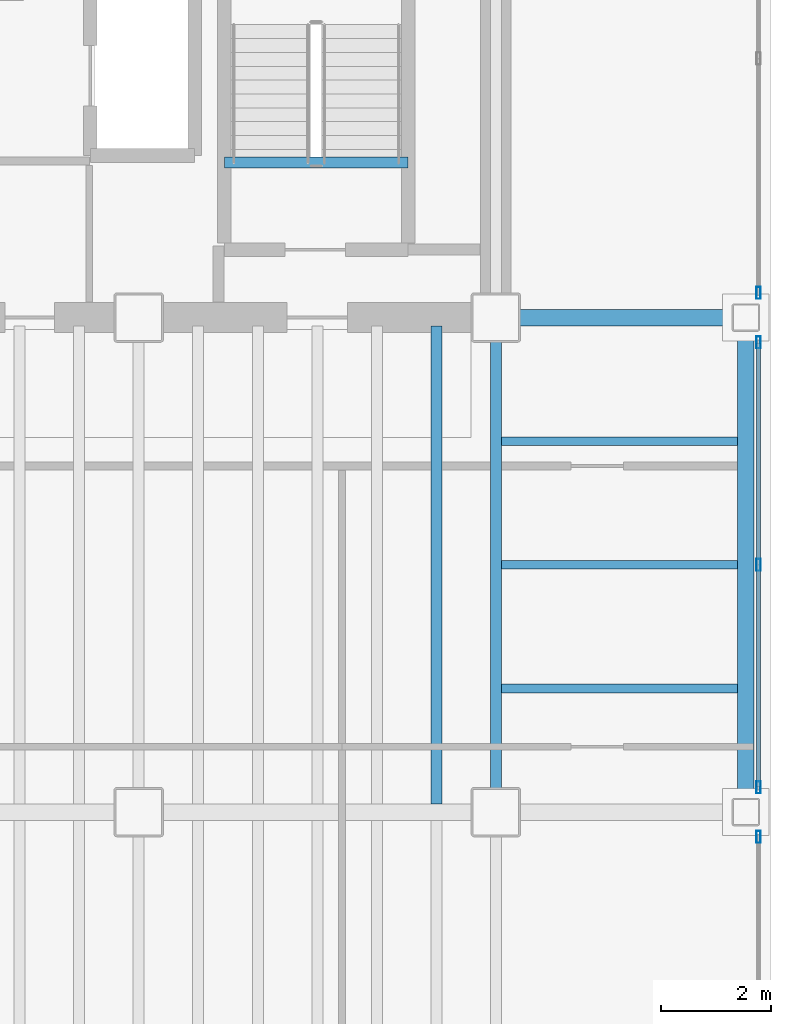
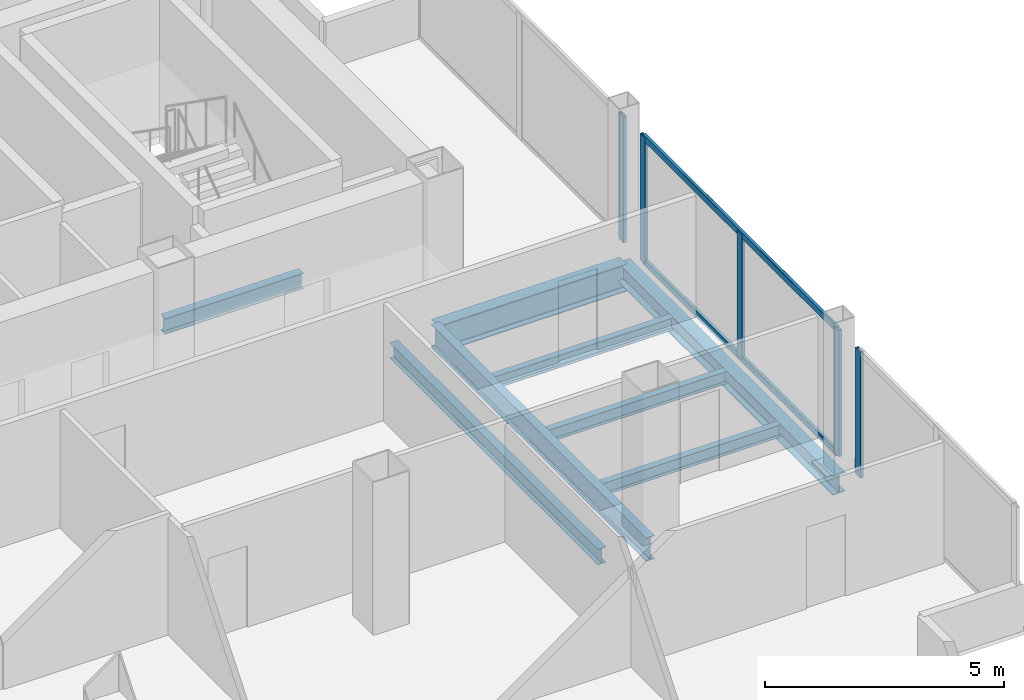
# One storey, part 16 of 22: 8 beams, 7 members, 3 elements without a shape of their own.
"""IFC4 building model written with IfcOpenShell, lengths in metres."""

import ifcopenshell
import ifcopenshell.guid

model = None  # the IFC model being written
_history = None  # IfcOwnerHistory: only IFC2X3 demands one
_inside = {}  # id of a spatial element -> (the spatial element, [elements in it])
_under = {}  # id of a project, library or spatial element -> (it, [spatial elements below it])
_declared = {}  # id of a project -> (the project, [libraries it declares])
_typed = {}  # id of a type object -> (the type object, [elements of that type])
_made_of = {}  # id of a material, layer set ... -> (it, [elements and type objects made of it])


def new_model(schema):
    """Start an empty IFC model of exactly this schema.

    Asked for "IFC4X3", IfcOpenShell would pick the latest addendum, in which some entities
    have other attributes; the version numbers below select the first issue.
    IFC2X3 requires an IfcOwnerHistory on every rooted entity: one is made here for all.
    """
    global model, _history
    if schema == "IFC4X3":
        model = ifcopenshell.file(schema_version=(4, 3, 0, 0))
    else:
        model = ifcopenshell.file(schema=schema)
    _inside.clear()
    _under.clear()
    _declared.clear()
    _typed.clear()
    _made_of.clear()
    _history = None
    if model.schema == "IFC2X3":
        org = make("IfcOrganization", Name="unknown")
        user = make(
            "IfcPersonAndOrganization",
            ThePerson=make("IfcPerson", FamilyName="unknown"),
            TheOrganization=org,
        )
        app = make(
            "IfcApplication",
            ApplicationDeveloper=org,
            Version="unknown",
            ApplicationFullName="unknown",
            ApplicationIdentifier="unknown",
        )
        _history = make(
            "IfcOwnerHistory",
            OwningUser=user,
            OwningApplication=app,
            ChangeAction="ADDED",
            CreationDate=0,
        )
    return model


def make(cls, **values):
    """One entity of the class cls with the attributes given. An attribute that is None is left unset."""
    return model.create_entity(
        cls, **{name: value for name, value in values.items() if value is not None}
    )


def rooted(cls, **values):
    """An entity with a GlobalId (a new one), such as an element, a storey or a relation."""
    return make(cls, GlobalId=ifcopenshell.guid.new(), OwnerHistory=_history, **values)


def si_unit(unit_type, name, prefix=None):
    """IfcSIUnit, for example si_unit("LENGTHUNIT", "METRE", prefix="MILLI")."""
    return make("IfcSIUnit", UnitType=unit_type, Prefix=prefix, Name=name)


def assignment(units):
    """IfcUnitAssignment: the units of a project."""
    return None if units is None else make("IfcUnitAssignment", Units=units)


def point(xyz):
    """IfcCartesianPoint."""
    return None if xyz is None else make("IfcCartesianPoint", Coordinates=xyz)


def direction(xyz):
    """IfcDirection."""
    return None if xyz is None else make("IfcDirection", DirectionRatios=xyz)


def frame(location, z_axis=None, x_axis=None):
    """IfcAxis2Placement3D, a coordinate frame: its origin and axes. An axis left out is left unset."""
    return make(
        "IfcAxis2Placement3D",
        Location=point(location),
        Axis=direction(z_axis),
        RefDirection=direction(x_axis),
    )


def frame_2d(location, x_axis=None):
    """IfcAxis2Placement2D, a coordinate frame in the plane: its origin and x axis."""
    return make(
        "IfcAxis2Placement2D", Location=point(location), RefDirection=direction(x_axis)
    )


def origin():
    """The frame at (0, 0, 0) with its axes left unset."""
    return frame((0.0, 0.0, 0.0))


def origin_2d():
    """The frame at (0, 0) in the plane with its x axis left unset."""
    return frame_2d((0.0, 0.0))


def place(relative_to, where):
    """IfcLocalPlacement: puts the frame where relative to a parent placement (None: the world)."""
    return make(
        "IfcLocalPlacement", PlacementRelTo=relative_to, RelativePlacement=where
    )


def context(
    kind, dimensions, precision=None, world=None, true_north=None, identifier=None
):
    """IfcGeometricRepresentationContext, for example the 3D "Model" context."""
    return make(
        "IfcGeometricRepresentationContext",
        ContextIdentifier=identifier,
        ContextType=kind,
        CoordinateSpaceDimension=dimensions,
        Precision=precision,
        WorldCoordinateSystem=world,
        TrueNorth=true_north,
    )


def subcontext(parent, identifier, kind, view, scale=None):
    """IfcGeometricRepresentationSubContext, for example "Body" below "Model"."""
    return make(
        "IfcGeometricRepresentationSubContext",
        ContextIdentifier=identifier,
        ContextType=kind,
        ParentContext=parent,
        TargetScale=scale,
        TargetView=view,
    )


def project(units=None, contexts=None):
    """IfcProject with its units and contexts."""
    return rooted(
        "IfcProject",
        Name="project",
        RepresentationContexts=contexts,
        UnitsInContext=assignment(units),
    )


def spatial(cls, under=None, at=None, **own):
    """A site, building, storey or space (cls), placed at a placement, below another one or the project."""
    s = rooted(cls, ObjectPlacement=at, **own)
    if under is not None:
        _under.setdefault(under.id(), (under, []))[1].append(s)
    return s


def profile(cls, at=None, kind="AREA", **sizes):
    """A parametric profile (cls). Its sizes go by their IFC names, for example OverallWidth=200.0."""
    return make(cls, ProfileType=kind, Position=at, **sizes)


def hollow_rectangle(**sizes):
    """IfcRectangleHollowProfileDef."""
    return profile("IfcRectangleHollowProfileDef", **sizes)


def i_section(**sizes):
    """IfcIShapeProfileDef."""
    return profile("IfcIShapeProfileDef", **sizes)


def extrude(swept, where, along, depth):
    """IfcExtrudedAreaSolid: the profile swept, set in the frame where, extruded along a direction by depth."""
    return make(
        "IfcExtrudedAreaSolid",
        SweptArea=swept,
        Position=where,
        ExtrudedDirection=direction(along),
        Depth=depth,
    )


def shape(context_of_items, identifier, shape_type, items):
    """IfcShapeRepresentation: the items that make up one representation, for example the "Body"."""
    return make(
        "IfcShapeRepresentation",
        ContextOfItems=context_of_items,
        RepresentationIdentifier=identifier,
        RepresentationType=shape_type,
        Items=items,
    )


def material(Name=None, Category=None):
    """IfcMaterial."""
    return make("IfcMaterial", Name=Name, Category=Category)


def material_profile(
    of_material, cross_section, Name=None, Category=None, Priority=None
):
    """IfcMaterialProfile: a cross section and its material."""
    return make(
        "IfcMaterialProfile",
        Name=Name,
        Material=of_material,
        Profile=cross_section,
        Priority=Priority,
        Category=Category,
    )


def profile_set(profiles, Name=None, composite=None):
    """IfcMaterialProfileSet."""
    return make(
        "IfcMaterialProfileSet",
        Name=Name,
        MaterialProfiles=profiles,
        CompositeProfile=composite,
    )


def made_of(thing, what):
    """Note that an element or type object is made of a material, layer set ...; save() writes the relation."""
    if what is not None:
        _made_of.setdefault(what.id(), (what, []))[1].append(thing)
    return thing


def type_object(cls, material=None, **own):
    """A type object (cls), such as IfcWallType, which elements share."""
    return made_of(rooted(cls, **own), material)


def element(
    cls,
    number,
    at=None,
    inside=None,
    cuts=None,
    type_object=None,
    material=None,
    context=None,
    identifier="Body",
    shape_type=None,
    held_by="IfcProductDefinitionShape",
    body=None,
    shapes=None,
    **own,
):
    """One element of the class cls, such as IfcWall. Its Tag is "e" and its number.

    at: its placement. inside: the storey or other place that contains it. cuts: it is an
    opening in that element (IfcRelVoidsElement). A single representation is given by context,
    identifier, shape_type and body (its items); several are given by shapes. held_by: the class
    of the entity that holds the representations. save() writes the other relations.
    """
    e = rooted(cls, Tag="e%d" % number, ObjectPlacement=at, **own)
    if body is not None:
        shapes = [shape(context, identifier, shape_type, body)]
    if shapes is not None:
        e.Representation = make(held_by, Representations=shapes)
    if inside is not None:
        _inside.setdefault(inside.id(), (inside, []))[1].append(e)
    if cuts is not None:
        rooted(
            "IfcRelVoidsElement", RelatingBuildingElement=cuts, RelatedOpeningElement=e
        )
    if type_object is not None:
        _typed.setdefault(type_object.id(), (type_object, []))[1].append(e)
    return made_of(e, material)


def aggregate(whole, parts):
    """IfcRelAggregates: a whole, such as a stair, and the parts it consists of."""
    return rooted("IfcRelAggregates", RelatingObject=whole, RelatedObjects=parts)


def save(model, path):
    """Write the relations noted so far, then the file.

    IfcRelAggregates (storeys below a building ...), IfcRelContainedInSpatialStructure (elements
    in a storey), IfcRelDefinesByType, IfcRelAssociatesMaterial and IfcRelDeclares: one each for
    every whole, place, type object, material and project.
    """
    for whole, parts in _under.values():
        aggregate(whole, parts)
    for where, things in _inside.values():
        rooted(
            "IfcRelContainedInSpatialStructure",
            RelatedElements=things,
            RelatingStructure=where,
        )
    for kind, things in _typed.values():
        rooted("IfcRelDefinesByType", RelatedObjects=things, RelatingType=kind)
    for what, things in _made_of.values():
        rooted("IfcRelAssociatesMaterial", RelatedObjects=things, RelatingMaterial=what)
    for by, libraries in _declared.values():
        rooted("IfcRelDeclares", RelatingContext=by, RelatedDefinitions=libraries)
    model.write(path)


model = new_model("IFC4")

# Units and contexts
model_context = context("Model", 3, precision=1e-05, world=origin(), true_north=direction((0.0, 1.0)))
body_context = subcontext(model_context, "Body", "Model", "MODEL_VIEW")
ifc_project = project(units=[si_unit("LENGTHUNIT", "METRE"), si_unit("AREAUNIT", "SQUARE_METRE"), si_unit("VOLUMEUNIT", "CUBIC_METRE"), si_unit("PLANEANGLEUNIT", "RADIAN"), si_unit("MASSUNIT", "GRAM", prefix="KILO")], contexts=[model_context])

# Site, building, storey
site_placement = place(None, origin())
site = spatial("IfcSite", under=ifc_project, at=site_placement, CompositionType="ELEMENT")
building_placement = place(site_placement, origin())
building = spatial("IfcBuilding", under=site, at=building_placement, Name="Noeulbin Bourse Tower", CompositionType="ELEMENT")
storey_placement = place(building_placement, frame((0.0, 0.0, 130.5)))
storey = spatial("IfcBuildingStorey", under=building, at=storey_placement, Name="L32", CompositionType="ELEMENT", Elevation=130.5)

# Beams
ifc_material_1 = material(Name="Steel S355", Category="steel")
ifc_material_profile_1 = material_profile(ifc_material_1, i_section(OverallWidth=0.199951171875, OverallDepth=0.60009765625, WebThickness=0.010986328125, FlangeThickness=0.01708984375, FilletRadius=0.02197265625, at=origin_2d()), Name="H-600x200x11x17", Category="LoadBearing")
ifc_profile_set_1 = profile_set([ifc_material_profile_1], Name="Steel S355")
beam_type_1 = type_object("IfcBeamType", Name="BM-GRD-600", PredefinedType="USERDEFINED", material=ifc_profile_set_1)
beam_1_placement = place(storey_placement, frame((44.0, 20.0, -0.47998046875), z_axis=(0.0, 1.0, 0.0), x_axis=(-1.0, 0.0, 0.0)))
element("IfcBeam", 1, at=beam_1_placement, inside=storey, type_object=beam_type_1, Name="Tower Primary Girder NS L32-5.2", ObjectType="GIRDER", PredefinedType="USERDEFINED", context=body_context, shape_type="SweptSolid", body=[
    extrude(i_section(OverallWidth=0.199951171875, OverallDepth=0.60009765625, WebThickness=0.010986328125, FlangeThickness=0.01708984375, FilletRadius=0.02197265625, at=origin_2d()), origin(), (0.0, 0.0, 1.0), 9.0),
])
ifc_material_profile_2 = material_profile(ifc_material_1, i_section(OverallWidth=0.300048828125, OverallDepth=0.699951171875, WebThickness=0.012939453125, FlangeThickness=0.02392578125, FilletRadius=0.02392578125, at=origin_2d()), Name="H-700x300x13x24", Category="LoadBearing")
ifc_profile_set_2 = profile_set([ifc_material_profile_2], Name="Steel S355")
beam_type_2 = type_object("IfcBeamType", Name="BM-GRD-700", PredefinedType="USERDEFINED", material=ifc_profile_set_2)
beam_2_placement = place(storey_placement, frame((44.0, 29.0, -0.530029296875), z_axis=(1.0, 0.0, 0.0), x_axis=(0.0, 1.0, 0.0)))
element("IfcBeam", 2, at=beam_2_placement, inside=storey, type_object=beam_type_2, Name="Tower Primary Girder EW L32-2.6", ObjectType="GIRDER", PredefinedType="USERDEFINED", context=body_context, shape_type="SweptSolid", body=[
    extrude(i_section(OverallWidth=0.300048828125, OverallDepth=0.699951171875, WebThickness=0.012939453125, FlangeThickness=0.02392578125, FilletRadius=0.02392578125, at=origin_2d()), origin(), (0.0, 0.0, 1.0), 4.550048828125),
])
ifc_material_profile_3 = material_profile(ifc_material_1, i_section(OverallWidth=0.159912109375, OverallDepth=0.320068359375, WebThickness=0.006591796875, FlangeThickness=0.010009765625, FilletRadius=0.012939453125, at=origin_2d()), Name="H-320x160x6.5x10", Category="LoadBearing")
ifc_profile_set_3 = profile_set([ifc_material_profile_3], Name="Steel S355")
beam_type_3 = type_object("IfcBeamType", Name="BM-JST-320", PredefinedType="JOIST", material=ifc_profile_set_3)
for number, where, z_axis, x_axis, name in (
    (3, (44.10009765625, 22.25, -0.340087890625), (1.0, 0.0, 0.0), (0.0, 1.0, 0.0), "Wing Composite Joist L32-E50"),
    (4, (44.10009765625, 24.5, -0.340087890625), (1.0, 0.0, 0.0), (0.0, 1.0, 0.0), "Wing Composite Joist L32-E51"),
    (5, (44.10009765625, 26.75, -0.340087890625), (1.0, 0.0, 0.0), (0.0, 1.0, 0.0), "Wing Composite Joist L32-E52"),
):
    element("IfcBeam", number, at=place(storey_placement, frame(where, z_axis=z_axis, x_axis=x_axis)), inside=storey, type_object=beam_type_3, Name=name, PredefinedType="JOIST", context=body_context, shape_type="SweptSolid", body=[
        extrude(i_section(OverallWidth=0.159912109375, OverallDepth=0.320068359375, WebThickness=0.006591796875, FlangeThickness=0.010009765625, FilletRadius=0.012939453125, at=origin_2d()), origin(), (0.0, 0.0, 1.0), 4.2998046875),
    ])
ifc_material_profile_4 = material_profile(ifc_material_1, i_section(OverallWidth=0.199951171875, OverallDepth=0.39990234375, WebThickness=0.008056640625, FlangeThickness=0.012939453125, FilletRadius=0.01611328125, at=origin_2d()), Name="H-400x200x8x13", Category="LoadBearing")
ifc_profile_set_4 = profile_set([ifc_material_profile_4], Name="Steel S355")
beam_type_4 = type_object("IfcBeamType", Name="BM-SEC-400", PredefinedType="BEAM", material=ifc_profile_set_4)
beam_3_placement = place(storey_placement, frame((42.916748046875, 20.14990234375, -0.3798828125), z_axis=(0.0, 1.0, 0.0), x_axis=(-1.0, 0.0, 0.0)))
element("IfcBeam", 6, at=beam_3_placement, inside=storey, type_object=beam_type_4, Name="Tower Composite Joist L32-46", PredefinedType="BEAM", context=body_context, shape_type="SweptSolid", body=[
    extrude(i_section(OverallWidth=0.199951171875, OverallDepth=0.39990234375, WebThickness=0.008056640625, FlangeThickness=0.012939453125, FilletRadius=0.01611328125, at=origin_2d()), origin(), (0.0, 0.0, 1.0), 8.7001953125),
])
beam_4_placement = place(storey_placement, frame((39.06005859375, 31.820068359375, -0.199951171875), z_axis=(1.0, 0.0, 0.0), x_axis=(0.0, 1.0, 0.0)))
element("IfcBeam", 7, at=beam_4_placement, inside=storey, type_object=beam_type_4, Name="Stair Threshold Trimmer Beam ST2-L32", PredefinedType="BEAM", context=body_context, shape_type="SweptSolid", body=[
    extrude(i_section(OverallWidth=0.199951171875, OverallDepth=0.39990234375, WebThickness=0.008056640625, FlangeThickness=0.012939453125, FilletRadius=0.01611328125, at=origin_2d()), origin(), (0.0, 0.0, 1.0), 3.33984375),
])
ifc_material_profile_5 = material_profile(ifc_material_1, i_section(OverallWidth=0.300048828125, OverallDepth=0.488037109375, WebThickness=0.010986328125, FlangeThickness=0.01806640625, FilletRadius=0.02197265625, at=origin_2d()), Name="H-488x300x11x18", Category="LoadBearing")
ifc_profile_set_5 = profile_set([ifc_material_profile_5], Name="Steel S355")
beam_type_5 = type_object("IfcBeamType", Name="BM-SPN-488", PredefinedType="SPANDREL", material=ifc_profile_set_5)
beam_5_placement = place(storey_placement, frame((48.550048828125, 20.0, -0.424072265625), z_axis=(0.0, 1.0, 0.0), x_axis=(-1.0, 0.0, 0.0)))
element("IfcBeam", 8, at=beam_5_placement, inside=storey, type_object=beam_type_5, Name="East Spandrel L32-1", PredefinedType="SPANDREL", context=body_context, shape_type="SweptSolid", body=[
    extrude(i_section(OverallWidth=0.300048828125, OverallDepth=0.488037109375, WebThickness=0.010986328125, FlangeThickness=0.01806640625, FilletRadius=0.02197265625, at=origin_2d()), origin(), (0.0, 0.0, 1.0), 9.0),
])

# Curtain wall, member
ifc_material_2 = material(Name="Dark Tinted Triple Glazing", Category="glass")
curtain_wall_type = type_object("IfcCurtainWallType", Name="CW-SYS-3", PredefinedType="NOTDEFINED", material=ifc_material_2)
curtain_wall_1_placement = place(storey_placement, origin())
curtain_wall_1 = element("IfcCurtainWall", 9, at=curtain_wall_1_placement, inside=storey, type_object=curtain_wall_type, Name="Unitised Curtain Wall CW-L32-E-S1", PredefinedType="NOTDEFINED")
ifc_material_3 = material(Name="Anodised Aluminium 6063-T6", Category="aluminium")
ifc_material_profile_6 = material_profile(ifc_material_3, hollow_rectangle(XDim=0.074951171875, YDim=0.219970703125, WallThickness=0.0048828125, InnerFilletRadius=0.00244140625, OuterFilletRadius=0.0048828125, at=origin_2d()), Name="ALU-MULL-75x220x5", Category="LoadBearing")
ifc_profile_set_6 = profile_set([ifc_material_profile_6], Name="Anodised Aluminium 6063-T6")
member_type_1 = type_object("IfcMemberType", Name="CW-SYS-3-MUL", PredefinedType="MULLION", material=ifc_profile_set_6)
member_1_placement = place(storey_placement, frame((48.780029296875, 19.550048828125, -0.02001953125), z_axis=(0.0, 0.0, 1.0), x_axis=(1.0, 0.0, 0.0)))
member_1 = element("IfcMember", 10, at=member_1_placement, type_object=member_type_1, Name="Curtain Wall Mullion CW-L32-E-S1-M02", PredefinedType="MULLION", context=body_context, shape_type="SweptSolid", body=[
    extrude(hollow_rectangle(XDim=0.074951171875, YDim=0.219970703125, WallThickness=0.0048828125, InnerFilletRadius=0.00244140625, OuterFilletRadius=0.0048828125, at=origin_2d()), origin(), (0.0, 0.0, 1.0), 3.219970703125),
])
aggregate(curtain_wall_1, [member_1])

# Curtain wall, members
curtain_wall_2_placement = place(storey_placement, origin())
curtain_wall_2 = element("IfcCurtainWall", 11, at=curtain_wall_2_placement, inside=storey, type_object=curtain_wall_type, Name="Unitised Curtain Wall CW-L32-E-S2", PredefinedType="NOTDEFINED")
member_2_placement = place(storey_placement, frame((48.780029296875, 20.449951171875, -0.02001953125), z_axis=(0.0, 0.0, 1.0), x_axis=(1.0, 0.0, 0.0)))
member_2 = element("IfcMember", 12, at=member_2_placement, type_object=member_type_1, Name="Curtain Wall Mullion CW-L32-E-S2-M00", PredefinedType="MULLION", context=body_context, shape_type="SweptSolid", body=[
    extrude(hollow_rectangle(XDim=0.074951171875, YDim=0.219970703125, WallThickness=0.0048828125, InnerFilletRadius=0.00244140625, OuterFilletRadius=0.0048828125, at=origin_2d()), origin(), (0.0, 0.0, 1.0), 3.219970703125),
])
member_3_placement = place(storey_placement, frame((48.780029296875, 24.5, -0.02001953125), z_axis=(0.0, 0.0, 1.0), x_axis=(1.0, 0.0, 0.0)))
member_3 = element("IfcMember", 13, at=member_3_placement, type_object=member_type_1, Name="Curtain Wall Mullion CW-L32-E-S2-M01", PredefinedType="MULLION", context=body_context, shape_type="SweptSolid", body=[
    extrude(hollow_rectangle(XDim=0.074951171875, YDim=0.219970703125, WallThickness=0.0048828125, InnerFilletRadius=0.00244140625, OuterFilletRadius=0.0048828125, at=origin_2d()), origin(), (0.0, 0.0, 1.0), 3.219970703125),
])
member_4_placement = place(storey_placement, frame((48.780029296875, 28.550048828125, -0.02001953125), z_axis=(0.0, 0.0, 1.0), x_axis=(1.0, 0.0, 0.0)))
member_4 = element("IfcMember", 14, at=member_4_placement, type_object=member_type_1, Name="Curtain Wall Mullion CW-L32-E-S2-M02", PredefinedType="MULLION", context=body_context, shape_type="SweptSolid", body=[
    extrude(hollow_rectangle(XDim=0.074951171875, YDim=0.219970703125, WallThickness=0.0048828125, InnerFilletRadius=0.00244140625, OuterFilletRadius=0.0048828125, at=origin_2d()), origin(), (0.0, 0.0, 1.0), 3.219970703125),
])

# Curtain wall, member
curtain_wall_3_placement = place(storey_placement, origin())
curtain_wall_3 = element("IfcCurtainWall", 15, at=curtain_wall_3_placement, inside=storey, type_object=curtain_wall_type, Name="Unitised Curtain Wall CW-L32-E-S3", PredefinedType="NOTDEFINED")
member_5_placement = place(storey_placement, frame((48.780029296875, 29.449951171875, -0.02001953125), z_axis=(0.0, 0.0, 1.0), x_axis=(1.0, 0.0, 0.0)))
member_5 = element("IfcMember", 16, at=member_5_placement, type_object=member_type_1, Name="Curtain Wall Mullion CW-L32-E-S3-M00", PredefinedType="MULLION", context=body_context, shape_type="SweptSolid", body=[
    extrude(hollow_rectangle(XDim=0.074951171875, YDim=0.219970703125, WallThickness=0.0048828125, InnerFilletRadius=0.00244140625, OuterFilletRadius=0.0048828125, at=origin_2d()), origin(), (0.0, 0.0, 1.0), 3.219970703125),
])
aggregate(curtain_wall_3, [member_5])

# Member
ifc_material_profile_7 = material_profile(ifc_material_3, hollow_rectangle(XDim=0.074951171875, YDim=0.159912109375, WallThickness=0.0048828125, InnerFilletRadius=0.00244140625, OuterFilletRadius=0.0048828125, at=origin_2d()), Name="ALU-TRAN-75x160x5", Category="LoadBearing")
ifc_profile_set_7 = profile_set([ifc_material_profile_7], Name="Anodised Aluminium 6063-T6")
member_type_2 = type_object("IfcMemberType", Name="CW-SYS-3-TRN", PredefinedType="USERDEFINED", material=ifc_profile_set_7)
member_6_placement = place(storey_placement, frame((48.780029296875, 20.4599609375, 0.010009765625), z_axis=(0.0, 1.0, 0.0), x_axis=(-1.0, 0.0, 0.0)))
member_6 = element("IfcMember", 17, at=member_6_placement, type_object=member_type_2, Name="Curtain Wall Transom CW-L32-E-S2-T00", ObjectType="TRANSOM", PredefinedType="USERDEFINED", context=body_context, shape_type="SweptSolid", body=[
    extrude(hollow_rectangle(XDim=0.074951171875, YDim=0.159912109375, WallThickness=0.0048828125, InnerFilletRadius=0.00244140625, OuterFilletRadius=0.0048828125, at=origin_2d()), origin(), (0.0, 0.0, 1.0), 8.080078125),
])

member_7_placement = place(storey_placement, frame((48.780029296875, 20.4599609375, 3.169921875), z_axis=(0.0, 1.0, 0.0), x_axis=(-1.0, 0.0, 0.0)))
member_7 = element("IfcMember", 18, at=member_7_placement, type_object=member_type_2, Name="Curtain Wall Transom CW-L32-E-S2-T01", ObjectType="TRANSOM", PredefinedType="USERDEFINED", context=body_context, shape_type="SweptSolid", body=[
    extrude(hollow_rectangle(XDim=0.074951171875, YDim=0.159912109375, WallThickness=0.0048828125, InnerFilletRadius=0.00244140625, OuterFilletRadius=0.0048828125, at=origin_2d()), origin(), (0.0, 0.0, 1.0), 8.080078125),
])

aggregate(curtain_wall_2, [member_2, member_3, member_4, member_6, member_7])

save(model, "model.ifc")
